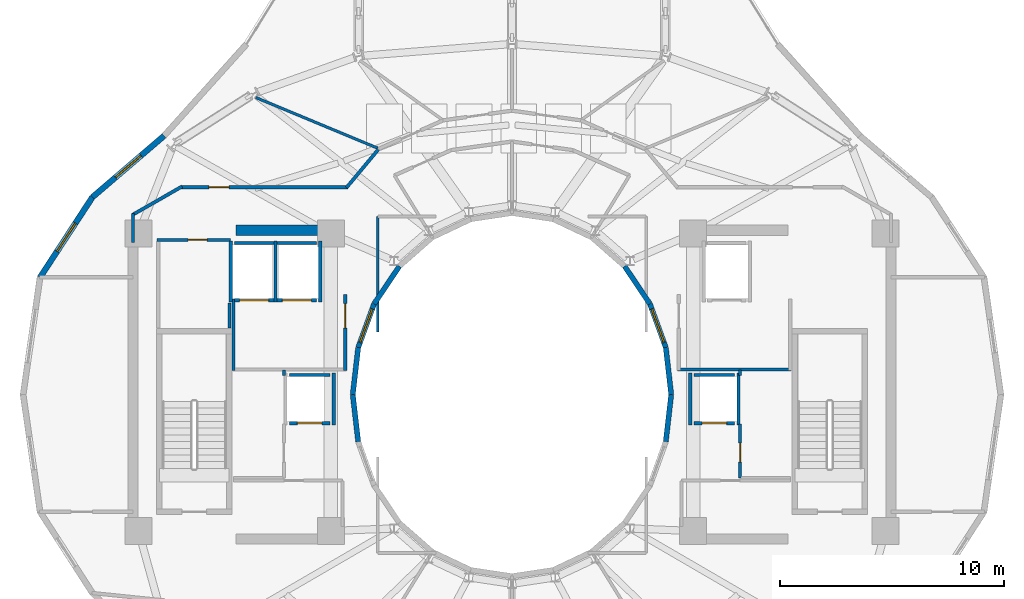
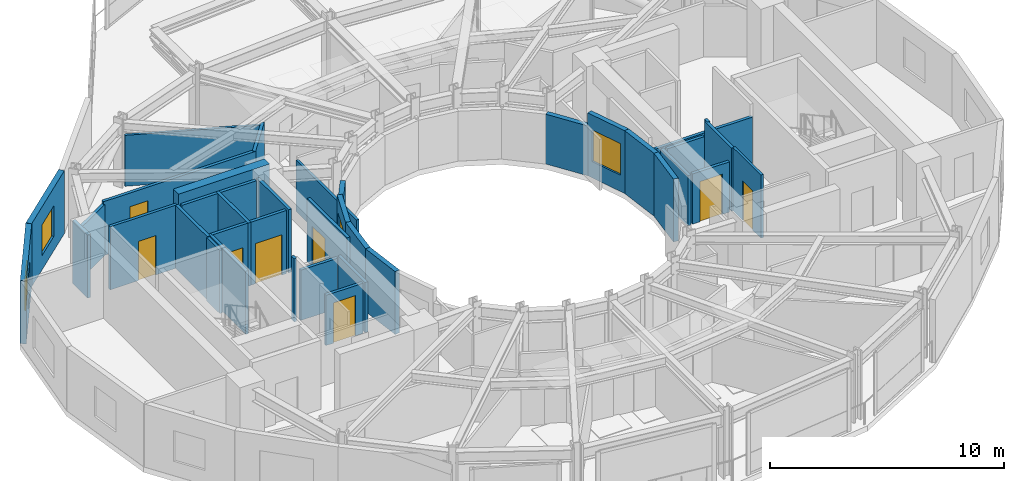
# One storey, part 14 of 19: 39 walls, 8 doors, 4 windows, 12 openings.
"""IFC4 building model written with IfcOpenShell, lengths in metres."""

from ifc_helpers import new_model, si_unit, direction, frame, frame_2d, origin, place, context, subcontext, project, spatial, rectangle, extrude, material, layer, layer_set, type_object, element, fill, save


model = new_model("IFC4")

# Units and contexts
model_context = context("Model", 3, precision=1e-05, world=origin(), true_north=direction((0.0, 1.0)))
body_context = subcontext(model_context, "Body", "Model", "MODEL_VIEW")
ifc_project = project(units=[si_unit("LENGTHUNIT", "METRE"), si_unit("AREAUNIT", "SQUARE_METRE"), si_unit("VOLUMEUNIT", "CUBIC_METRE"), si_unit("PLANEANGLEUNIT", "RADIAN"), si_unit("MASSUNIT", "GRAM", prefix="KILO")], contexts=[model_context])

# Site, building, storey
site_placement = place(None, origin())
site = spatial("IfcSite", under=ifc_project, at=site_placement, CompositionType="ELEMENT")
building_placement = place(site_placement, origin())
building = spatial("IfcBuilding", under=site, at=building_placement, Name="Solvane Sanctuary Tower", CompositionType="ELEMENT")
storey_placement = place(building_placement, frame((0.0, 0.0, 249.60009765625)))
storey = spatial("IfcBuildingStorey", under=building, at=storey_placement, Name="L76", CompositionType="ELEMENT", Elevation=249.60009765625)

# Walls
ifc_material_1 = material(Name="Concrete C50/60", Category="concrete")
ifc_layer_1 = layer(ifc_material_1, 0.449951171875, Name="Concrete C50/60")
ifc_layer_set_1 = layer_set([ifc_layer_1], Name="Concrete C50/60")
wall_type_1 = type_object("IfcWallType", Name="Wall W-CORE-450", PredefinedType="SHEAR", material=ifc_layer_set_1)
wall_1_placement = place(storey_placement, frame((19.64990234375, 30.35009765625, 0.0), z_axis=(0.0, 0.0, 1.0), x_axis=(1.0, 0.0, 0.0)))
element("IfcWall", 1, at=wall_1_placement, inside=storey, type_object=wall_type_1, Name="L76 Core Shear Wall WC-N", PredefinedType="SHEAR", context=body_context, shape_type="SweptSolid", body=[
    extrude(rectangle(XDim=4.5, YDim=0.449951171875, at=frame_2d((2.25, 0.0))), origin(), (0.0, 0.0, 1.0), 3.599853515625),
])
ifc_material_2 = material(Name="Acoustic Gypsum Partition Board")
ifc_layer_2 = layer(ifc_material_2, 0.14990234375, Name="Acoustic Gypsum Partition Board")
ifc_layer_set_2 = layer_set([ifc_layer_2], Name="Acoustic Gypsum Partition Board")
wall_type_2 = type_object("IfcWallType", Name="Wall W-CORR-150", PredefinedType="PARTITIONING", material=ifc_layer_set_2)
wall_2_placement = place(storey_placement, frame((19.550048828125, 24.080078125, 0.0), z_axis=(0.0, 0.0, 1.0), x_axis=(0.0, 1.0, 0.0)))
element("IfcWall", 2, at=wall_2_placement, inside=storey, type_object=wall_type_2, Name="L76 West Firefighting Lobby West Wall", PredefinedType="PARTITIONING", context=body_context, shape_type="SweptSolid", body=[
    extrude(rectangle(XDim=3.199951171875, YDim=0.14990234375, at=frame_2d((1.60009765625, 0.0))), origin(), (0.0, 0.0, 1.0), 3.294921875),
])

# Wall, opening, door
wall_3_placement = place(storey_placement, frame((24.550048828125, 24.080078125, 0.0), z_axis=(0.0, 0.0, 1.0), x_axis=(0.0, 1.0, 0.0)))
wall_3 = element("IfcWall", 3, at=wall_3_placement, inside=storey, type_object=wall_type_2, Name="L76 West Firefighting Lobby East Wall", PredefinedType="PARTITIONING", context=body_context, shape_type="SweptSolid", body=[
    extrude(rectangle(XDim=3.39990234375, YDim=0.14990234375, at=frame_2d((1.699951171875, 0.0))), origin(), (0.0, 0.0, 1.0), 3.294921875),
])
opening_1_placement = place(wall_3_placement, frame((1.893798828125, 0.0, 0.0)))
opening_1 = element("IfcOpeningElement", 4, at=opening_1_placement, cuts=wall_3, Name="Opening D-L76-03", PredefinedType="OPENING", context=body_context, shape_type="SweptSolid", body=[
    extrude(rectangle(XDim=1.10009765625, YDim=2.10009765625, at=frame_2d((0.550048828125, 1.050048828125))), frame((0.0, 0.0849609375, 0.0), z_axis=(0.0, -1.0, 0.0), x_axis=(1.0, 0.0, 0.0)), (0.0, 0.0, 1.0), 0.169921875),
])
ifc_material_3 = material(Name="Architectural Stainless Steel 316", Category="steel")
door_type_1 = type_object("IfcDoorType", Name="Door D-FFL", OperationType="NOTDEFINED", PredefinedType="DOOR", material=ifc_material_3)
door_1_placement = place(opening_1_placement, origin())
door_1 = element("IfcDoor", 5, at=door_1_placement, inside=storey, type_object=door_type_1, Name="L76 West Firefighting Lobby Fire Door", OperationType="SINGLE_SWING_RIGHT", OverallHeight=2.10009765625, OverallWidth=1.10009765625, PredefinedType="DOOR", context=body_context, shape_type="SweptSolid", body=[
    extrude(rectangle(XDim=1.10009765625, YDim=2.10009765625, at=frame_2d((0.550048828125, 1.050048828125))), frame((0.0, 0.02490234375, 0.0), z_axis=(0.0, -1.0, 0.0), x_axis=(1.0, 0.0, 0.0)), (0.0, 0.0, 1.0), 0.050048828125),
])
fill(opening_1, door_1)

# Walls
wall_4_placement = place(storey_placement, frame((39.39990234375, 24.1201171875, 0.0), z_axis=(0.0, 0.0, 1.0), x_axis=(1.0, 0.0, 0.0)))
element("IfcWall", 6, at=wall_4_placement, inside=storey, type_object=wall_type_2, Name="L76 East Firefighting Lobby South Wall", PredefinedType="PARTITIONING", context=body_context, shape_type="SweptSolid", body=[
    extrude(rectangle(XDim=5.080078125, YDim=0.14990234375, at=frame_2d((2.5400390625, 0.0))), origin(), (0.0, 0.0, 1.0), 2.619873046875),
])
wall_5_placement = place(storey_placement, frame((15.050048828125, 29.800048828125, 0.0), z_axis=(0.0, 0.0, 1.0), x_axis=(0.0, 1.0, 0.0)))
element("IfcWall", 7, at=wall_5_placement, inside=storey, type_object=wall_type_2, Name="L76 NW Corner Closer 1", PredefinedType="PARTITIONING", context=body_context, shape_type="SweptSolid", body=[
    extrude(rectangle(XDim=1.2900390625, YDim=0.14990234375, at=frame_2d((0.64501953125, 0.0))), origin(), (0.0, 0.0, 1.0), 3.294921875),
])
wall_6_placement = place(storey_placement, frame((26.015869140625, 33.95458984375, 0.0), z_axis=(0.0, 0.0, 1.0), x_axis=(-0.64030392053, -0.76812166312, 0.0)))
element("IfcWall", 8, at=wall_6_placement, inside=storey, type_object=wall_type_2, Name="L76 NW Corner Throat Wall", PredefinedType="PARTITIONING", context=body_context, shape_type="SweptSolid", body=[
    extrude(rectangle(XDim=2.2099609375, YDim=0.14990234375, at=frame_2d((1.10498046875, 0.0))), origin(), (0.0, 0.0, 1.0), 2.81591796875),
])

# Wall, opening, door
wall_7_placement = place(storey_placement, frame((17.14990234375, 32.280029296875, 0.0), z_axis=(0.0, 0.0, 1.0), x_axis=(1.0, 0.0, 0.0)))
wall_7 = element("IfcWall", 9, at=wall_7_placement, inside=storey, type_object=wall_type_2, Name="L76 NW Corner Corridor Wall", PredefinedType="PARTITIONING", context=body_context, shape_type="SweptSolid", body=[
    extrude(rectangle(XDim=7.52001953125, YDim=0.14990234375, at=frame_2d((3.760009765625, 0.0))), origin(), (0.0, 0.0, 1.0), 2.81591796875),
])
opening_2_placement = place(wall_7_placement, frame((1.300048828125, 0.0, 0.0)))
opening_2 = element("IfcOpeningElement", 10, at=opening_2_placement, cuts=wall_7, Name="Opening D-L76-17", PredefinedType="OPENING", context=body_context, shape_type="SweptSolid", body=[
    extrude(rectangle(XDim=0.89990234375, YDim=2.10009765625, at=frame_2d((0.449951171875, 1.050048828125))), frame((0.0, 0.0849609375, 0.0), z_axis=(0.0, -1.0, 0.0), x_axis=(1.0, 0.0, 0.0)), (0.0, 0.0, 1.0), 0.169921875),
])
ifc_material_4 = material(Name="Engineered Tropical Hardwood", Category="wood")
door_type_2 = type_object("IfcDoorType", Name="Door D-WET-900", OperationType="NOTDEFINED", PredefinedType="DOOR", material=ifc_material_4)
door_2_placement = place(opening_2_placement, origin())
door_2 = element("IfcDoor", 11, at=door_2_placement, inside=storey, type_object=door_type_2, Name="L76 NW Corner Salon Door", OperationType="SINGLE_SWING_RIGHT", OverallHeight=2.10009765625, OverallWidth=0.89990234375, PredefinedType="DOOR", context=body_context, shape_type="SweptSolid", body=[
    extrude(rectangle(XDim=0.89990234375, YDim=2.10009765625, at=frame_2d((0.449951171875, 1.050048828125))), frame((0.0, 0.02490234375, 0.0), z_axis=(0.0, -1.0, 0.0), x_axis=(1.0, 0.0, 0.0)), (0.0, 0.0, 1.0), 0.050048828125),
])
fill(opening_2, door_2)

# Wall
wall_8_placement = place(storey_placement, frame((17.243408203125, 32.3046875, 0.0), z_axis=(0.0, 0.0, 1.0), x_axis=(-0.867991349648, -0.496579315857, 0.0)))
element("IfcWall", 12, at=wall_8_placement, inside=storey, type_object=wall_type_2, Name="L76 NW Corner Wing Wall", PredefinedType="PARTITIONING", context=body_context, shape_type="SweptSolid", body=[
    extrude(rectangle(XDim=2.56689453125, YDim=0.14990234375, at=frame_2d((1.283447265625, 0.0))), origin(), (0.0, 0.0, 1.0), 2.659912109375),
])

# Wall, opening, window
ifc_material_5 = material(Name="Precast concrete C40/50", Category="concrete")
ifc_layer_3 = layer(ifc_material_5, 0.260009765625, Name="Precast concrete C40/50")
ifc_layer_set_3 = layer_set([ifc_layer_3], Name="Precast concrete C40/50")
wall_type_3 = type_object("IfcWallType", Name="Wall W-EXT-250", PredefinedType="STANDARD", material=ifc_layer_set_3)
wall_9_placement = place(storey_placement, frame((16.4423828125, 34.572265625, 0.0), z_axis=(0.0, 0.0, 1.0), x_axis=(-0.759587504333, -0.650405122413, 0.0)))
wall_9 = element("IfcWall", 13, at=wall_9_placement, inside=storey, type_object=wall_type_3, Name="L76 Ceramic-Printed Facade Wall 09", PredefinedType="STANDARD", context=body_context, shape_type="SweptSolid", body=[
    extrude(rectangle(XDim=4.21728515625, YDim=0.260009765625, at=frame_2d((2.108642578125, 0.0))), origin(), (0.0, 0.0, 1.0), 3.289794921875),
])
opening_3_placement = place(wall_9_placement, frame((1.358642578125, 0.0, 0.75)))
opening_3 = element("IfcOpeningElement", 14, at=opening_3_placement, cuts=wall_9, Name="Opening WN-OPER-1500", PredefinedType="OPENING", context=body_context, shape_type="SweptSolid", body=[
    extrude(rectangle(XDim=1.5, YDim=1.60009765625, at=frame_2d((0.75, 0.800048828125))), frame((0.0, 0.139892578125, 0.0), z_axis=(0.0, -1.0, 0.0), x_axis=(1.0, 0.0, 0.0)), (0.0, 0.0, 1.0), 0.280029296875),
])
ifc_material_6 = material(Name="Dark Ceramic-Fritted Low-E Glass", Category="glass")
window_type_1 = type_object("IfcWindowType", Name="Window WN-OPER-1500", PartitioningType="SINGLE_PANEL", PredefinedType="WINDOW", material=ifc_material_6)
window_1_placement = place(opening_3_placement, origin())
window_1 = element("IfcWindow", 15, at=window_1_placement, inside=storey, type_object=window_type_1, Name="L76 Operable Facade Window 09", OverallHeight=1.60009765625, OverallWidth=1.5, PartitioningType="SINGLE_PANEL", PredefinedType="WINDOW", context=body_context, shape_type="SweptSolid", body=[
    extrude(rectangle(XDim=1.5, YDim=1.60009765625, at=frame_2d((0.75, 0.800048828125))), frame((0.0, 0.030029296875, 0.0), z_axis=(0.0, -1.0, 0.0), x_axis=(1.0, 0.0, 0.0)), (0.0, 0.0, 1.0), 0.06005859375),
])
fill(opening_3, window_1)

wall_10_placement = place(storey_placement, frame((13.239013671875, 31.829345703125, 0.0), z_axis=(0.0, 0.0, 1.0), x_axis=(-0.546606419826, -0.837389647539, 0.0)))
wall_10 = element("IfcWall", 16, at=wall_10_placement, inside=storey, type_object=wall_type_3, Name="L76 Ceramic-Printed Facade Wall 10", PredefinedType="STANDARD", context=body_context, shape_type="SweptSolid", body=[
    extrude(rectangle(XDim=4.287841796875, YDim=0.260009765625, at=frame_2d((2.14404296875, 0.0))), origin(), (0.0, 0.0, 1.0), 3.289794921875),
])
opening_4_placement = place(wall_10_placement, frame((1.393798828125, 0.0, 0.75)))
opening_4 = element("IfcOpeningElement", 17, at=opening_4_placement, cuts=wall_10, Name="Opening WN-OPER-1500", PredefinedType="OPENING", context=body_context, shape_type="SweptSolid", body=[
    extrude(rectangle(XDim=1.5, YDim=1.60009765625, at=frame_2d((0.75, 0.800048828125))), frame((0.0, 0.139892578125, 0.0), z_axis=(0.0, -1.0, 0.0), x_axis=(1.0, 0.0, 0.0)), (0.0, 0.0, 1.0), 0.280029296875),
])
window_2_placement = place(opening_4_placement, origin())
window_2 = element("IfcWindow", 18, at=window_2_placement, inside=storey, type_object=window_type_1, Name="L76 Operable Facade Window 10", OverallHeight=1.60009765625, OverallWidth=1.5, PartitioningType="SINGLE_PANEL", PredefinedType="WINDOW", context=body_context, shape_type="SweptSolid", body=[
    extrude(rectangle(XDim=1.5, YDim=1.60009765625, at=frame_2d((0.75, 0.800048828125))), frame((0.0, 0.030029296875, 0.0), z_axis=(0.0, -1.0, 0.0), x_axis=(1.0, 0.0, 0.0)), (0.0, 0.0, 1.0), 0.06005859375),
])
fill(opening_4, window_2)

# Wall
ifc_layer_4 = layer(ifc_material_5, 0.22998046875, Name="Precast concrete C40/50")
ifc_layer_set_4 = layer_set([ifc_layer_4], Name="Precast concrete C40/50")
wall_type_4 = type_object("IfcWallType", Name="Wall W-EXT-SP220", PredefinedType="STANDARD", material=ifc_layer_set_4)
wall_11_placement = place(storey_placement, frame((39.1201171875, 23.0, 0.0), z_axis=(0.0, 0.0, 1.0), x_axis=(-0.114711713601, 0.993398823617, 0.0)))
element("IfcWall", 19, at=wall_11_placement, inside=storey, type_object=wall_type_4, Name="L76 Central Light-Well Wall 00", PredefinedType="STANDARD", context=body_context, shape_type="SweptSolid", body=[
    extrude(rectangle(XDim=2.115478515625, YDim=0.22998046875, at=frame_2d((1.0576171875, 0.0))), origin(), (0.0, 0.0, 1.0), 3.27978515625),
])

# Wall, opening, window
wall_12_placement = place(storey_placement, frame((38.87744140625, 25.1015625, 0.0), z_axis=(0.0, 0.0, 1.0), x_axis=(-0.341423187295, 0.93990968033, 0.0)))
wall_12 = element("IfcWall", 20, at=wall_12_placement, inside=storey, type_object=wall_type_4, Name="L76 Central Light-Well Wall 01", PredefinedType="STANDARD", context=body_context, shape_type="SweptSolid", body=[
    extrude(rectangle(XDim=2.083740234375, YDim=0.22998046875, at=frame_2d((1.0419921875, 0.0))), origin(), (0.0, 0.0, 1.0), 3.27978515625),
])
opening_5_placement = place(wall_12_placement, frame((0.24169921875, 0.0, 0.85009765625)))
opening_5 = element("IfcOpeningElement", 21, at=opening_5_placement, cuts=wall_12, Name="Opening WN-WELL-1600", PredefinedType="OPENING", context=body_context, shape_type="SweptSolid", body=[
    extrude(rectangle(XDim=1.60009765625, YDim=1.64990234375, at=frame_2d((0.800048828125, 0.824951171875))), frame((0.0, 0.125, 0.0), z_axis=(0.0, -1.0, 0.0), x_axis=(1.0, 0.0, 0.0)), (0.0, 0.0, 1.0), 0.25),
])
ifc_material_7 = material(Name="Clear Laminated Light-Well Glass", Category="glass")
window_type_2 = type_object("IfcWindowType", Name="Window WN-WELL-1600", PartitioningType="SINGLE_PANEL", PredefinedType="WINDOW", material=ifc_material_7)
window_3_placement = place(opening_5_placement, origin())
window_3 = element("IfcWindow", 22, at=window_3_placement, inside=storey, type_object=window_type_2, Name="L76 Light-Well Daylight Window 01", OverallHeight=1.64990234375, OverallWidth=1.60009765625, PartitioningType="SINGLE_PANEL", PredefinedType="WINDOW", context=body_context, shape_type="SweptSolid", body=[
    extrude(rectangle(XDim=1.60009765625, YDim=1.64990234375, at=frame_2d((0.800048828125, 0.824951171875))), frame((0.0, 0.030029296875, 0.0), z_axis=(0.0, -1.0, 0.0), x_axis=(1.0, 0.0, 0.0)), (0.0, 0.0, 1.0), 0.06005859375),
])
fill(opening_5, window_3)

# Walls
for number, where, z_axis, x_axis, name in (
    (23, (38.166015625, 27.06005859375, 0.0), (0.0, 0.0, 1.0), (-0.558197800898, 0.829707909492, 0.0), "L76 Central Light-Well Wall 02"),
    (24, (26.96533203125, 28.74169921875, 0.0), (0.0, 0.0, 1.0), (-0.558197800898, -0.829707909492, 0.0), "L76 Central Light-Well Wall 09"),
):
    element("IfcWall", number, at=place(storey_placement, frame(where, z_axis=z_axis, x_axis=x_axis)), inside=storey, type_object=wall_type_4, Name=name, PredefinedType="STANDARD", context=body_context, shape_type="SweptSolid", body=[
        extrude(rectangle(XDim=2.02685546875, YDim=0.22998046875, at=frame_2d((1.013427734375, 0.0))), origin(), (0.0, 0.0, 1.0), 2.599853515625),
    ])

# Wall, opening, window
wall_13_placement = place(storey_placement, frame((25.833984375, 27.06005859375, 0.0), z_axis=(0.0, 0.0, 1.0), x_axis=(-0.341423187295, -0.93990968033, 0.0)))
wall_13 = element("IfcWall", 25, at=wall_13_placement, inside=storey, type_object=wall_type_4, Name="L76 Central Light-Well Wall 10", PredefinedType="STANDARD", context=body_context, shape_type="SweptSolid", body=[
    extrude(rectangle(XDim=2.083740234375, YDim=0.22998046875, at=frame_2d((1.0419921875, 0.0))), origin(), (0.0, 0.0, 1.0), 3.27978515625),
])
opening_6_placement = place(wall_13_placement, frame((0.24169921875, 0.0, 0.85009765625)))
opening_6 = element("IfcOpeningElement", 26, at=opening_6_placement, cuts=wall_13, Name="Opening WN-WELL-1600", PredefinedType="OPENING", context=body_context, shape_type="SweptSolid", body=[
    extrude(rectangle(XDim=1.60009765625, YDim=1.64990234375, at=frame_2d((0.800048828125, 0.824951171875))), frame((0.0, 0.125, 0.0), z_axis=(0.0, -1.0, 0.0), x_axis=(1.0, 0.0, 0.0)), (0.0, 0.0, 1.0), 0.25),
])
window_4_placement = place(opening_6_placement, origin())
window_4 = element("IfcWindow", 27, at=window_4_placement, inside=storey, type_object=window_type_2, Name="L76 Light-Well Daylight Window 10", OverallHeight=1.64990234375, OverallWidth=1.60009765625, PartitioningType="SINGLE_PANEL", PredefinedType="WINDOW", context=body_context, shape_type="SweptSolid", body=[
    extrude(rectangle(XDim=1.60009765625, YDim=1.64990234375, at=frame_2d((0.800048828125, 0.824951171875))), frame((0.0, 0.030029296875, 0.0), z_axis=(0.0, -1.0, 0.0), x_axis=(1.0, 0.0, 0.0)), (0.0, 0.0, 1.0), 0.06005859375),
])
fill(opening_6, window_4)

# Walls
for number, where, z_axis, x_axis, name in (
    (28, (25.12255859375, 25.1015625, 0.0), (0.0, 0.0, 1.0), (-0.114711713601, -0.993398823617, 0.0), "L76 Central Light-Well Wall 11"),
    (29, (24.8798828125, 23.0, 0.0), (0.0, 0.0, 1.0), (0.114711713601, -0.993398823617, 0.0), "L76 Central Light-Well Wall 12"),
    (30, (38.87744140625, 20.8984375, 0.0), (0.0, 0.0, 1.0), (0.114711713601, 0.993398823617, 0.0), "L76 Central Light-Well Wall 23"),
):
    element("IfcWall", number, at=place(storey_placement, frame(where, z_axis=z_axis, x_axis=x_axis)), inside=storey, type_object=wall_type_4, Name=name, PredefinedType="STANDARD", context=body_context, shape_type="SweptSolid", body=[
        extrude(rectangle(XDim=2.115478515625, YDim=0.22998046875, at=frame_2d((1.0576171875, 0.0))), origin(), (0.0, 0.0, 1.0), 3.27978515625),
    ])
ifc_layer_5 = layer(ifc_material_2, 0.1201171875, Name="Acoustic Gypsum Partition Board")
ifc_layer_set_5 = layer_set([ifc_layer_5], Name="Acoustic Gypsum Partition Board")
wall_type_5 = type_object("IfcWallType", Name="Wall W-MOV-100", PredefinedType="MOVABLE", material=ifc_layer_set_5)
wall_14_placement = place(storey_placement, frame((26.000244140625, 34.017822265625, 0.0), z_axis=(0.0, 0.0, 1.0), x_axis=(-0.92349333748, 0.383614462228, 0.0)))
element("IfcWall", 31, at=wall_14_placement, inside=storey, type_object=wall_type_5, Name="L76 Sky Hall Radial Partition 120", PredefinedType="MOVABLE", context=body_context, shape_type="SweptSolid", body=[
    extrude(rectangle(XDim=5.9072265625, YDim=0.1201171875, at=frame_2d((2.95361328125, 0.0))), origin(), (0.0, 0.0, 1.0), 2.659912109375),
])
ifc_layer_6 = layer(ifc_material_2, 0.125, Name="Acoustic Gypsum Partition Board")
ifc_layer_set_6 = layer_set([ifc_layer_6], Name="Acoustic Gypsum Partition Board")
wall_type_6 = type_object("IfcWallType", Name="Wall W-PART-125", PredefinedType="PARTITIONING", material=ifc_layer_set_6)
wall_15_placement = place(storey_placement, frame((21.800048828125, 23.85009765625, 0.0), z_axis=(0.0, 0.0, 1.0), x_axis=(0.0, 1.0, 0.0)))
element("IfcWall", 32, at=wall_15_placement, inside=storey, type_object=wall_type_6, Name="L76 Reclaimed Room Dividing Wall PMW", PredefinedType="PARTITIONING", context=body_context, shape_type="SweptSolid", body=[
    extrude(rectangle(XDim=0.25, YDim=0.125, at=frame_2d((0.125, 0.0))), origin(), (0.0, 0.0, 1.0), 3.294921875),
])

# Wall, opening, door
wall_16_placement = place(storey_placement, frame((42.199951171875, 19.280029296875, 0.0), z_axis=(0.0, 0.0, 1.0), x_axis=(0.0, 1.0, 0.0)))
wall_16 = element("IfcWall", 33, at=wall_16_placement, inside=storey, type_object=wall_type_6, Name="L76 Reclaimed Room Partition PME", PredefinedType="PARTITIONING", context=body_context, shape_type="SweptSolid", body=[
    extrude(rectangle(XDim=2.39990234375, YDim=0.125, at=frame_2d((1.199951171875, 0.0))), origin(), (0.0, 0.0, 1.0), 3.294921875),
])
opening_7_placement = place(wall_16_placement, frame((0.699951171875, 0.0, 0.0)))
opening_7 = element("IfcOpeningElement", 34, at=opening_7_placement, cuts=wall_16, Name="Opening D-L76-08", PredefinedType="OPENING", context=body_context, shape_type="SweptSolid", body=[
    extrude(rectangle(XDim=0.85009765625, YDim=2.050048828125, at=frame_2d((0.425048828125, 1.02490234375))), frame((0.0, 0.072509765625, 0.0), z_axis=(0.0, -1.0, 0.0), x_axis=(1.0, 0.0, 0.0)), (0.0, 0.0, 1.0), 0.14501953125),
])
door_type_3 = type_object("IfcDoorType", Name="Door D-RISER", OperationType="NOTDEFINED", PredefinedType="DOOR", material=ifc_material_3)
door_3_placement = place(opening_7_placement, origin())
door_3 = element("IfcDoor", 35, at=door_3_placement, inside=storey, type_object=door_type_3, Name="L76 Reclaimed Room Door PME-1", OperationType="SINGLE_SWING_LEFT", OverallHeight=2.050048828125, OverallWidth=0.85009765625, PredefinedType="DOOR", context=body_context, shape_type="SweptSolid", body=[
    extrude(rectangle(XDim=0.85009765625, YDim=2.050048828125, at=frame_2d((0.425048828125, 1.02490234375))), frame((0.0, 0.02490234375, 0.0), z_axis=(0.0, -1.0, 0.0), x_axis=(1.0, 0.0, 0.0)), (0.0, 0.0, 1.0), 0.050048828125),
])
fill(opening_7, door_3)

# Walls
wall_17_placement = place(storey_placement, frame((42.199951171875, 23.85009765625, 0.0), z_axis=(0.0, 0.0, 1.0), x_axis=(0.0, 1.0, 0.0)))
element("IfcWall", 36, at=wall_17_placement, inside=storey, type_object=wall_type_6, Name="L76 Reclaimed Room Dividing Wall PME", PredefinedType="PARTITIONING", context=body_context, shape_type="SweptSolid", body=[
    extrude(rectangle(XDim=0.25, YDim=0.125, at=frame_2d((0.125, 0.0))), origin(), (0.0, 0.0, 1.0), 3.294921875),
])
wall_18_placement = place(storey_placement, frame((26.0, 25.800048828125, 0.0), z_axis=(0.0, 0.0, 1.0), x_axis=(0.0, 1.0, 0.0)))
element("IfcWall", 37, at=wall_18_placement, inside=storey, type_object=wall_type_6, Name="L76 Bridge Alcove Wall 1", PredefinedType="PARTITIONING", context=body_context, shape_type="SweptSolid", body=[
    extrude(rectangle(XDim=5.159912109375, YDim=0.125, at=frame_2d((2.580078125, 0.0))), origin(), (0.0, 0.0, 1.0), 2.671875),
])

# Wall, opening, door
ifc_layer_7 = layer(ifc_material_1, 0.14990234375, Name="Concrete C50/60")
ifc_layer_set_7 = layer_set([ifc_layer_7], Name="Concrete C50/60")
wall_type_7 = type_object("IfcWallType", Name="Wall W-SHAFT-150", PredefinedType="SOLIDWALL", material=ifc_layer_set_7)
wall_19_placement = place(storey_placement, frame((22.0400390625, 21.719970703125, 0.0), z_axis=(0.0, 0.0, 1.0), x_axis=(1.0, 0.0, 0.0)))
wall_19 = element("IfcWall", 38, at=wall_19_placement, inside=storey, type_object=wall_type_7, Name="L76 PH-1 Lift Shaft Wall F", PredefinedType="SOLIDWALL", context=body_context, shape_type="SweptSolid", body=[
    extrude(rectangle(XDim=1.820068359375, YDim=0.14990234375, at=frame_2d((0.91015625, 0.0))), origin(), (0.0, 0.0, 1.0), 2.619873046875),
])
opening_8_placement = place(wall_19_placement, frame((0.360107421875, 0.0, 0.0)))
opening_8 = element("IfcOpeningElement", 39, at=opening_8_placement, cuts=wall_19, Name="Opening LD-L76-01", PredefinedType="OPENING", context=body_context, shape_type="SweptSolid", body=[
    extrude(rectangle(XDim=1.10009765625, YDim=2.10009765625, at=frame_2d((0.550048828125, 1.050048828125))), frame((0.0, 0.0849609375, 0.0), z_axis=(0.0, -1.0, 0.0), x_axis=(1.0, 0.0, 0.0)), (0.0, 0.0, 1.0), 0.169921875),
])
door_type_4 = type_object("IfcDoorType", Name="Door LD-PASS-1100", OperationType="NOTDEFINED", PredefinedType="DOOR", material=ifc_material_3)
door_4_placement = place(opening_8_placement, origin())
door_4 = element("IfcDoor", 40, at=door_4_placement, inside=storey, type_object=door_type_4, Name="L76 PH-1 Lift Landing Door", OperationType="DOUBLE_DOOR_SLIDING", OverallHeight=2.10009765625, OverallWidth=1.10009765625, PredefinedType="DOOR", context=body_context, shape_type="SweptSolid", body=[
    extrude(rectangle(XDim=1.10009765625, YDim=2.10009765625, at=frame_2d((0.550048828125, 1.050048828125))), frame((0.0, 0.02490234375, 0.0), z_axis=(0.0, -1.0, 0.0), x_axis=(1.0, 0.0, 0.0)), (0.0, 0.0, 1.0), 0.050048828125),
])
fill(opening_8, door_4)

# Walls
wall_20_placement = place(storey_placement, frame((22.0400390625, 23.8798828125, 0.0), z_axis=(0.0, 0.0, 1.0), x_axis=(1.0, 0.0, 0.0)))
element("IfcWall", 41, at=wall_20_placement, inside=storey, type_object=wall_type_7, Name="L76 PH-1 Lift Shaft Wall B", PredefinedType="SOLIDWALL", context=body_context, shape_type="SweptSolid", body=[
    extrude(rectangle(XDim=1.820068359375, YDim=0.14990234375, at=frame_2d((0.91015625, 0.0))), origin(), (0.0, 0.0, 1.0), 2.619873046875),
])
wall_21_placement = place(storey_placement, frame((24.030029296875, 21.639892578125, 0.0), z_axis=(0.0, 0.0, 1.0), x_axis=(0.0, 1.0, 0.0)))
element("IfcWall", 42, at=wall_21_placement, inside=storey, type_object=wall_type_7, Name="L76 PH-1 Lift Shaft Wall S2", PredefinedType="SOLIDWALL", context=body_context, shape_type="SweptSolid", body=[
    extrude(rectangle(XDim=2.320068359375, YDim=0.14990234375, at=frame_2d((1.16015625, 0.0))), origin(), (0.0, 0.0, 1.0), 2.619873046875),
])

# Wall, opening, door
wall_22_placement = place(storey_placement, frame((40.139892578125, 21.719970703125, 0.0), z_axis=(0.0, 0.0, 1.0), x_axis=(1.0, 0.0, 0.0)))
wall_22 = element("IfcWall", 43, at=wall_22_placement, inside=storey, type_object=wall_type_7, Name="L76 PH-2 Lift Shaft Wall F", PredefinedType="SOLIDWALL", context=body_context, shape_type="SweptSolid", body=[
    extrude(rectangle(XDim=1.820068359375, YDim=0.14990234375, at=frame_2d((0.91015625, 0.0))), origin(), (0.0, 0.0, 1.0), 2.619873046875),
])
opening_9_placement = place(wall_22_placement, frame((0.360107421875, 0.0, 0.0)))
opening_9 = element("IfcOpeningElement", 44, at=opening_9_placement, cuts=wall_22, Name="Opening LD-L76-02", PredefinedType="OPENING", context=body_context, shape_type="SweptSolid", body=[
    extrude(rectangle(XDim=1.10009765625, YDim=2.10009765625, at=frame_2d((0.550048828125, 1.050048828125))), frame((0.0, 0.0849609375, 0.0), z_axis=(0.0, -1.0, 0.0), x_axis=(1.0, 0.0, 0.0)), (0.0, 0.0, 1.0), 0.169921875),
])
door_5_placement = place(opening_9_placement, origin())
door_5 = element("IfcDoor", 45, at=door_5_placement, inside=storey, type_object=door_type_4, Name="L76 PH-2 Lift Landing Door", OperationType="DOUBLE_DOOR_SLIDING", OverallHeight=2.10009765625, OverallWidth=1.10009765625, PredefinedType="DOOR", context=body_context, shape_type="SweptSolid", body=[
    extrude(rectangle(XDim=1.10009765625, YDim=2.10009765625, at=frame_2d((0.550048828125, 1.050048828125))), frame((0.0, 0.02490234375, 0.0), z_axis=(0.0, -1.0, 0.0), x_axis=(1.0, 0.0, 0.0)), (0.0, 0.0, 1.0), 0.050048828125),
])
fill(opening_9, door_5)

# Walls
wall_23_placement = place(storey_placement, frame((40.139892578125, 23.8798828125, 0.0), z_axis=(0.0, 0.0, 1.0), x_axis=(1.0, 0.0, 0.0)))
element("IfcWall", 46, at=wall_23_placement, inside=storey, type_object=wall_type_7, Name="L76 PH-2 Lift Shaft Wall B", PredefinedType="SOLIDWALL", context=body_context, shape_type="SweptSolid", body=[
    extrude(rectangle(XDim=1.820068359375, YDim=0.14990234375, at=frame_2d((0.91015625, 0.0))), origin(), (0.0, 0.0, 1.0), 2.619873046875),
])
wall_24_placement = place(storey_placement, frame((39.969970703125, 21.639892578125, 0.0), z_axis=(0.0, 0.0, 1.0), x_axis=(0.0, 1.0, 0.0)))
element("IfcWall", 47, at=wall_24_placement, inside=storey, type_object=wall_type_7, Name="L76 PH-2 Lift Shaft Wall S1", PredefinedType="SOLIDWALL", context=body_context, shape_type="SweptSolid", body=[
    extrude(rectangle(XDim=2.320068359375, YDim=0.14990234375, at=frame_2d((1.16015625, 0.0))), origin(), (0.0, 0.0, 1.0), 2.619873046875),
])
wall_25_placement = place(storey_placement, frame((42.1298828125, 21.639892578125, 0.0), z_axis=(0.0, 0.0, 1.0), x_axis=(0.0, 1.0, 0.0)))
element("IfcWall", 48, at=wall_25_placement, inside=storey, type_object=wall_type_7, Name="L76 PH-2 Lift Shaft Wall S2", PredefinedType="SOLIDWALL", context=body_context, shape_type="SweptSolid", body=[
    extrude(rectangle(XDim=2.320068359375, YDim=0.14990234375, at=frame_2d((1.16015625, 0.0))), origin(), (0.0, 0.0, 1.0), 3.294921875),
])

# Wall, opening, door
wall_26_placement = place(storey_placement, frame((19.590087890625, 27.219970703125, 0.0), z_axis=(0.0, 0.0, 1.0), x_axis=(1.0, 0.0, 0.0)))
wall_26 = element("IfcWall", 49, at=wall_26_placement, inside=storey, type_object=wall_type_7, Name="L76 FFL-1 Lift Shaft Wall F", PredefinedType="SOLIDWALL", context=body_context, shape_type="SweptSolid", body=[
    extrude(rectangle(XDim=1.760009765625, YDim=0.14990234375, at=frame_2d((0.8798828125, 0.0))), origin(), (0.0, 0.0, 1.0), 3.294921875),
])
opening_10_placement = place(wall_26_placement, frame((0.22998046875, 0.0, 0.0)))
opening_10 = element("IfcOpeningElement", 50, at=opening_10_placement, cuts=wall_26, Name="Opening LD-L76-03", PredefinedType="OPENING", context=body_context, shape_type="SweptSolid", body=[
    extrude(rectangle(XDim=1.300048828125, YDim=2.10009765625, at=frame_2d((0.64990234375, 1.050048828125))), frame((0.0, 0.0849609375, 0.0), z_axis=(0.0, -1.0, 0.0), x_axis=(1.0, 0.0, 0.0)), (0.0, 0.0, 1.0), 0.169921875),
])
door_type_5 = type_object("IfcDoorType", Name="Door LD-FFL-1300", OperationType="NOTDEFINED", PredefinedType="DOOR", material=ifc_material_3)
door_6_placement = place(opening_10_placement, origin())
door_6 = element("IfcDoor", 51, at=door_6_placement, inside=storey, type_object=door_type_5, Name="L76 FFL-1 Lift Landing Door", OperationType="DOUBLE_DOOR_SLIDING", OverallHeight=2.10009765625, OverallWidth=1.300048828125, PredefinedType="DOOR", context=body_context, shape_type="SweptSolid", body=[
    extrude(rectangle(XDim=1.300048828125, YDim=2.10009765625, at=frame_2d((0.64990234375, 1.050048828125))), frame((0.0, 0.02490234375, 0.0), z_axis=(0.0, -1.0, 0.0), x_axis=(1.0, 0.0, 0.0)), (0.0, 0.0, 1.0), 0.050048828125),
])
fill(opening_10, door_6)

# Walls
wall_27_placement = place(storey_placement, frame((19.590087890625, 29.780029296875, 0.0), z_axis=(0.0, 0.0, 1.0), x_axis=(1.0, 0.0, 0.0)))
element("IfcWall", 52, at=wall_27_placement, inside=storey, type_object=wall_type_7, Name="L76 FFL-1 Lift Shaft Wall B", PredefinedType="SOLIDWALL", context=body_context, shape_type="SweptSolid", body=[
    extrude(rectangle(XDim=1.760009765625, YDim=0.14990234375, at=frame_2d((0.8798828125, 0.0))), origin(), (0.0, 0.0, 1.0), 3.294921875),
])
for number, where, z_axis, x_axis, name in (
    (53, (19.419921875, 27.139892578125, 0.0), (0.0, 0.0, 1.0), (0.0, 1.0, 0.0), "L76 FFL-1 Lift Shaft Wall S1"),
    (54, (21.425048828125, 27.139892578125, 0.0), (0.0, 0.0, 1.0), (0.0, 1.0, 0.0), "L76 FFL-1 Lift Shaft Wall S2"),
):
    element("IfcWall", number, at=place(storey_placement, frame(where, z_axis=z_axis, x_axis=x_axis)), inside=storey, type_object=wall_type_7, Name=name, PredefinedType="SOLIDWALL", context=body_context, shape_type="SweptSolid", body=[
        extrude(rectangle(XDim=2.72021484375, YDim=0.14990234375, at=frame_2d((1.360107421875, 0.0))), origin(), (0.0, 0.0, 1.0), 3.294921875),
    ])

# Wall, opening, door
wall_28_placement = place(storey_placement, frame((21.5, 27.219970703125, 0.0), z_axis=(0.0, 0.0, 1.0), x_axis=(1.0, 0.0, 0.0)))
wall_28 = element("IfcWall", 55, at=wall_28_placement, inside=storey, type_object=wall_type_7, Name="L76 SVL-1 Lift Shaft Wall F", PredefinedType="SOLIDWALL", context=body_context, shape_type="SweptSolid", body=[
    extrude(rectangle(XDim=1.760009765625, YDim=0.14990234375, at=frame_2d((0.8798828125, 0.0))), origin(), (0.0, 0.0, 1.0), 3.294921875),
])
opening_11_placement = place(wall_28_placement, frame((0.22998046875, 0.0, 0.0)))
opening_11 = element("IfcOpeningElement", 56, at=opening_11_placement, cuts=wall_28, Name="Opening LD-L76-04", PredefinedType="OPENING", context=body_context, shape_type="SweptSolid", body=[
    extrude(rectangle(XDim=1.300048828125, YDim=2.10009765625, at=frame_2d((0.64990234375, 1.050048828125))), frame((0.0, 0.0849609375, 0.0), z_axis=(0.0, -1.0, 0.0), x_axis=(1.0, 0.0, 0.0)), (0.0, 0.0, 1.0), 0.169921875),
])
door_7_placement = place(opening_11_placement, origin())
door_7 = element("IfcDoor", 57, at=door_7_placement, inside=storey, type_object=door_type_5, Name="L76 SVL-1 Lift Landing Door", OperationType="DOUBLE_DOOR_SLIDING", OverallHeight=2.10009765625, OverallWidth=1.300048828125, PredefinedType="DOOR", context=body_context, shape_type="SweptSolid", body=[
    extrude(rectangle(XDim=1.300048828125, YDim=2.10009765625, at=frame_2d((0.64990234375, 1.050048828125))), frame((0.0, 0.02490234375, 0.0), z_axis=(0.0, -1.0, 0.0), x_axis=(1.0, 0.0, 0.0)), (0.0, 0.0, 1.0), 0.050048828125),
])
fill(opening_11, door_7)

# Walls
wall_29_placement = place(storey_placement, frame((21.5, 29.780029296875, 0.0), z_axis=(0.0, 0.0, 1.0), x_axis=(1.0, 0.0, 0.0)))
element("IfcWall", 58, at=wall_29_placement, inside=storey, type_object=wall_type_7, Name="L76 SVL-1 Lift Shaft Wall B", PredefinedType="SOLIDWALL", context=body_context, shape_type="SweptSolid", body=[
    extrude(rectangle(XDim=1.760009765625, YDim=0.14990234375, at=frame_2d((0.8798828125, 0.0))), origin(), (0.0, 0.0, 1.0), 3.294921875),
])
wall_30_placement = place(storey_placement, frame((23.429931640625, 27.139892578125, 0.0), z_axis=(0.0, 0.0, 1.0), x_axis=(0.0, 1.0, 0.0)))
element("IfcWall", 59, at=wall_30_placement, inside=storey, type_object=wall_type_7, Name="L76 SVL-1 Lift Shaft Wall S2", PredefinedType="SOLIDWALL", context=body_context, shape_type="SweptSolid", body=[
    extrude(rectangle(XDim=2.72021484375, YDim=0.14990234375, at=frame_2d((1.360107421875, 0.0))), origin(), (0.0, 0.0, 1.0), 3.294921875),
])

# Wall, opening, door
ifc_layer_8 = layer(ifc_material_2, 0.139892578125, Name="Acoustic Gypsum Partition Board")
ifc_layer_set_8 = layer_set([ifc_layer_8], Name="Acoustic Gypsum Partition Board")
wall_type_8 = type_object("IfcWallType", Name="Wall W-WET-140", PredefinedType="PLUMBINGWALL", material=ifc_layer_set_8)
wall_31_placement = place(storey_placement, frame((16.1201171875, 29.919921875, 0.0), z_axis=(0.0, 0.0, 1.0), x_axis=(1.0, 0.0, 0.0)))
wall_31 = element("IfcWall", 60, at=wall_31_placement, inside=storey, type_object=wall_type_8, Name="L76 Core Service Front Wall KW0", PredefinedType="PLUMBINGWALL", context=body_context, shape_type="SweptSolid", body=[
    extrude(rectangle(XDim=3.2998046875, YDim=0.139892578125, at=frame_2d((1.64990234375, 0.0))), origin(), (0.0, 0.0, 1.0), 3.294921875),
])
opening_12_placement = place(wall_31_placement, frame((1.3994140625, 0.0, 0.0)))
opening_12 = element("IfcOpeningElement", 61, at=opening_12_placement, cuts=wall_31, Name="Opening D-L76-09", PredefinedType="OPENING", context=body_context, shape_type="SweptSolid", body=[
    extrude(rectangle(XDim=0.85009765625, YDim=2.050048828125, at=frame_2d((0.425048828125, 1.02490234375))), frame((0.0, 0.079833984375, 0.0), z_axis=(0.0, -1.0, 0.0), x_axis=(1.0, 0.0, 0.0)), (0.0, 0.0, 1.0), 0.159912109375),
])
door_8_placement = place(opening_12_placement, origin())
door_8 = element("IfcDoor", 62, at=door_8_placement, inside=storey, type_object=door_type_3, Name="L76 Core Service Room Door KW0-1", OperationType="SINGLE_SWING_RIGHT", OverallHeight=2.050048828125, OverallWidth=0.85009765625, PredefinedType="DOOR", context=body_context, shape_type="SweptSolid", body=[
    extrude(rectangle(XDim=0.85009765625, YDim=2.050048828125, at=frame_2d((0.425048828125, 1.02490234375))), frame((0.0, 0.02490234375, 0.0), z_axis=(0.0, -1.0, 0.0), x_axis=(1.0, 0.0, 0.0)), (0.0, 0.0, 1.0), 0.050048828125),
])
fill(opening_12, door_8)

# Wall
wall_32_placement = place(storey_placement, frame((19.360107421875, 25.97998046875, 0.0), z_axis=(0.0, 0.0, 1.0), x_axis=(0.0, 1.0, 0.0)))
element("IfcWall", 63, at=wall_32_placement, inside=storey, type_object=wall_type_8, Name="L76 Core Service Side Wall KW0-2", PredefinedType="PLUMBINGWALL", context=body_context, shape_type="SweptSolid", body=[
    extrude(rectangle(XDim=1.1201171875, YDim=0.139892578125, at=frame_2d((0.56005859375, 0.0))), origin(), (0.0, 0.0, 1.0), 3.294921875),
])

save(model, "model.ifc")
